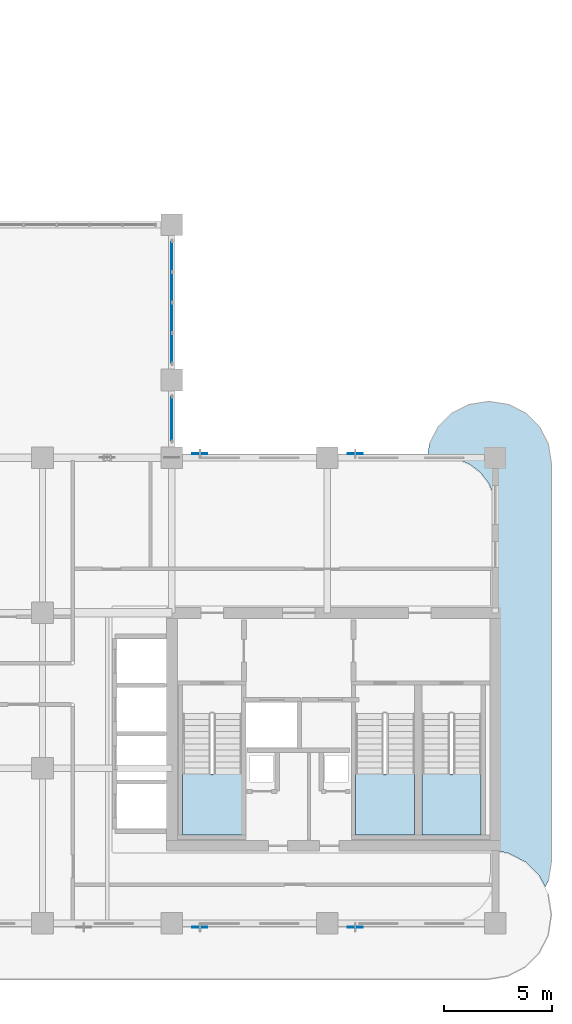
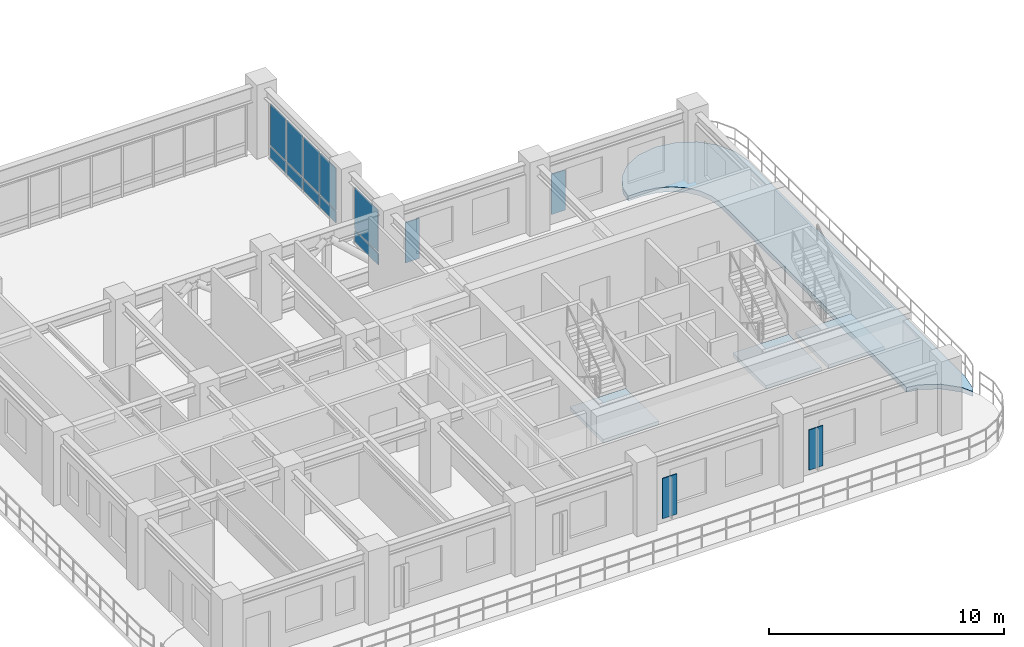
# One storey, part 7 of 17: 14 plates, 4 slabs, 5 elements without a shape of their own.
"""IFC4 building model written with IfcOpenShell, lengths in metres."""

import ifcopenshell
import ifcopenshell.guid

model = None  # the IFC model being written
_history = None  # IfcOwnerHistory: only IFC2X3 demands one
_inside = {}  # id of a spatial element -> (the spatial element, [elements in it])
_under = {}  # id of a project, library or spatial element -> (it, [spatial elements below it])
_declared = {}  # id of a project -> (the project, [libraries it declares])
_typed = {}  # id of a type object -> (the type object, [elements of that type])
_made_of = {}  # id of a material, layer set ... -> (it, [elements and type objects made of it])


def new_model(schema):
    """Start an empty IFC model of exactly this schema.

    Asked for "IFC4X3", IfcOpenShell would pick the latest addendum, in which some entities
    have other attributes; the version numbers below select the first issue.
    IFC2X3 requires an IfcOwnerHistory on every rooted entity: one is made here for all.
    """
    global model, _history
    if schema == "IFC4X3":
        model = ifcopenshell.file(schema_version=(4, 3, 0, 0))
    else:
        model = ifcopenshell.file(schema=schema)
    _inside.clear()
    _under.clear()
    _declared.clear()
    _typed.clear()
    _made_of.clear()
    _history = None
    if model.schema == "IFC2X3":
        org = make("IfcOrganization", Name="unknown")
        user = make(
            "IfcPersonAndOrganization",
            ThePerson=make("IfcPerson", FamilyName="unknown"),
            TheOrganization=org,
        )
        app = make(
            "IfcApplication",
            ApplicationDeveloper=org,
            Version="unknown",
            ApplicationFullName="unknown",
            ApplicationIdentifier="unknown",
        )
        _history = make(
            "IfcOwnerHistory",
            OwningUser=user,
            OwningApplication=app,
            ChangeAction="ADDED",
            CreationDate=0,
        )
    return model


def make(cls, **values):
    """One entity of the class cls with the attributes given. An attribute that is None is left unset."""
    return model.create_entity(
        cls, **{name: value for name, value in values.items() if value is not None}
    )


def rooted(cls, **values):
    """An entity with a GlobalId (a new one), such as an element, a storey or a relation."""
    return make(cls, GlobalId=ifcopenshell.guid.new(), OwnerHistory=_history, **values)


def si_unit(unit_type, name, prefix=None):
    """IfcSIUnit, for example si_unit("LENGTHUNIT", "METRE", prefix="MILLI")."""
    return make("IfcSIUnit", UnitType=unit_type, Prefix=prefix, Name=name)


def derived_unit(unit_type, elements):
    """IfcDerivedUnit: a product of units, each with its exponent."""
    return make(
        "IfcDerivedUnit",
        Elements=[
            make("IfcDerivedUnitElement", Unit=unit, Exponent=power)
            for unit, power in elements
        ],
        UnitType=unit_type,
    )


def assignment(units):
    """IfcUnitAssignment: the units of a project."""
    return None if units is None else make("IfcUnitAssignment", Units=units)


def point(xyz):
    """IfcCartesianPoint."""
    return None if xyz is None else make("IfcCartesianPoint", Coordinates=xyz)


def direction(xyz):
    """IfcDirection."""
    return None if xyz is None else make("IfcDirection", DirectionRatios=xyz)


def frame(location, z_axis=None, x_axis=None):
    """IfcAxis2Placement3D, a coordinate frame: its origin and axes. An axis left out is left unset."""
    return make(
        "IfcAxis2Placement3D",
        Location=point(location),
        Axis=direction(z_axis),
        RefDirection=direction(x_axis),
    )


def frame_2d(location, x_axis=None):
    """IfcAxis2Placement2D, a coordinate frame in the plane: its origin and x axis."""
    return make(
        "IfcAxis2Placement2D", Location=point(location), RefDirection=direction(x_axis)
    )


def origin():
    """The frame at (0, 0, 0) with its axes left unset."""
    return frame((0.0, 0.0, 0.0))


def origin_2d():
    """The frame at (0, 0) in the plane with its x axis left unset."""
    return frame_2d((0.0, 0.0))


def place(relative_to, where):
    """IfcLocalPlacement: puts the frame where relative to a parent placement (None: the world)."""
    return make(
        "IfcLocalPlacement", PlacementRelTo=relative_to, RelativePlacement=where
    )


def context(
    kind, dimensions, precision=None, world=None, true_north=None, identifier=None
):
    """IfcGeometricRepresentationContext, for example the 3D "Model" context."""
    return make(
        "IfcGeometricRepresentationContext",
        ContextIdentifier=identifier,
        ContextType=kind,
        CoordinateSpaceDimension=dimensions,
        Precision=precision,
        WorldCoordinateSystem=world,
        TrueNorth=true_north,
    )


def subcontext(parent, identifier, kind, view, scale=None):
    """IfcGeometricRepresentationSubContext, for example "Body" below "Model"."""
    return make(
        "IfcGeometricRepresentationSubContext",
        ContextIdentifier=identifier,
        ContextType=kind,
        ParentContext=parent,
        TargetScale=scale,
        TargetView=view,
    )


def project(units=None, contexts=None):
    """IfcProject with its units and contexts."""
    return rooted(
        "IfcProject",
        Name="project",
        RepresentationContexts=contexts,
        UnitsInContext=assignment(units),
    )


def spatial(cls, under=None, at=None, **own):
    """A site, building, storey or space (cls), placed at a placement, below another one or the project."""
    s = rooted(cls, ObjectPlacement=at, **own)
    if under is not None:
        _under.setdefault(under.id(), (under, []))[1].append(s)
    return s


def polyline(points):
    """IfcPolyline through the points."""
    return make("IfcPolyline", Points=[point(p) for p in points])


def profile(cls, at=None, kind="AREA", **sizes):
    """A parametric profile (cls). Its sizes go by their IFC names, for example OverallWidth=200.0."""
    return make(cls, ProfileType=kind, Position=at, **sizes)


def rectangle(**sizes):
    """IfcRectangleProfileDef."""
    return profile("IfcRectangleProfileDef", **sizes)


def outline(outer, holes=None, kind="AREA"):
    """IfcArbitraryClosedProfileDef: a profile drawn as a closed curve; with holes, ...WithVoids."""
    if holes is None:
        return make("IfcArbitraryClosedProfileDef", ProfileType=kind, OuterCurve=outer)
    return make(
        "IfcArbitraryProfileDefWithVoids",
        ProfileType=kind,
        OuterCurve=outer,
        InnerCurves=holes,
    )


def extrude(swept, where, along, depth):
    """IfcExtrudedAreaSolid: the profile swept, set in the frame where, extruded along a direction by depth."""
    return make(
        "IfcExtrudedAreaSolid",
        SweptArea=swept,
        Position=where,
        ExtrudedDirection=direction(along),
        Depth=depth,
    )


def shape(context_of_items, identifier, shape_type, items):
    """IfcShapeRepresentation: the items that make up one representation, for example the "Body"."""
    return make(
        "IfcShapeRepresentation",
        ContextOfItems=context_of_items,
        RepresentationIdentifier=identifier,
        RepresentationType=shape_type,
        Items=items,
    )


def source(mapping_origin, context_of_items, identifier, shape_type, items):
    """IfcRepresentationMap: a shape defined once, which mapped items show again and again."""
    return make(
        "IfcRepresentationMap",
        MappingOrigin=mapping_origin,
        MappedRepresentation=shape(context_of_items, identifier, shape_type, items),
    )


def transform(
    local_origin,
    x_axis=None,
    y_axis=None,
    z_axis=None,
    scale=None,
    scale2=None,
    scale3=None,
    uniform=True,
):
    """IfcCartesianTransformationOperator3D, or its non-uniform kind. x_axis, y_axis, z_axis: its Axis1, 2, 3."""
    if uniform:
        return make(
            "IfcCartesianTransformationOperator3D",
            Axis1=direction(x_axis),
            Axis2=direction(y_axis),
            LocalOrigin=point(local_origin),
            Scale=scale,
            Axis3=direction(z_axis),
        )
    return make(
        "IfcCartesianTransformationOperator3DnonUniform",
        Axis1=direction(x_axis),
        Axis2=direction(y_axis),
        LocalOrigin=point(local_origin),
        Scale=scale,
        Axis3=direction(z_axis),
        Scale2=scale2,
        Scale3=scale3,
    )


def mapped(mapping_source, mapping_target):
    """IfcMappedItem: shows the shape of a source again, moved by a transform."""
    return make(
        "IfcMappedItem", MappingSource=mapping_source, MappingTarget=mapping_target
    )


def material(Name=None, Category=None):
    """IfcMaterial."""
    return make("IfcMaterial", Name=Name, Category=Category)


def layer(
    of_material, thickness, ventilated=None, Name=None, Category=None, Priority=None
):
    """IfcMaterialLayer: one layer of a wall or slab, of a material (None: an air gap)."""
    return make(
        "IfcMaterialLayer",
        Material=of_material,
        LayerThickness=thickness,
        IsVentilated=ventilated,
        Name=Name,
        Category=Category,
        Priority=Priority,
    )


def layer_set(layers, Name=None):
    """IfcMaterialLayerSet."""
    return make("IfcMaterialLayerSet", MaterialLayers=layers, LayerSetName=Name)


def made_of(thing, what):
    """Note that an element or type object is made of a material, layer set ...; save() writes the relation."""
    if what is not None:
        _made_of.setdefault(what.id(), (what, []))[1].append(thing)
    return thing


def type_object(cls, material=None, **own):
    """A type object (cls), such as IfcWallType, which elements share."""
    return made_of(rooted(cls, **own), material)


def type_shapes(of_type, sources):
    """Give a type object the sources (RepresentationMaps) that its elements show as mapped items."""
    of_type.RepresentationMaps = sources


def element(
    cls,
    number,
    at=None,
    inside=None,
    cuts=None,
    type_object=None,
    material=None,
    context=None,
    identifier="Body",
    shape_type=None,
    held_by="IfcProductDefinitionShape",
    body=None,
    shapes=None,
    **own,
):
    """One element of the class cls, such as IfcWall. Its Tag is "e" and its number.

    at: its placement. inside: the storey or other place that contains it. cuts: it is an
    opening in that element (IfcRelVoidsElement). A single representation is given by context,
    identifier, shape_type and body (its items); several are given by shapes. held_by: the class
    of the entity that holds the representations. save() writes the other relations.
    """
    e = rooted(cls, Tag="e%d" % number, ObjectPlacement=at, **own)
    if body is not None:
        shapes = [shape(context, identifier, shape_type, body)]
    if shapes is not None:
        e.Representation = make(held_by, Representations=shapes)
    if inside is not None:
        _inside.setdefault(inside.id(), (inside, []))[1].append(e)
    if cuts is not None:
        rooted(
            "IfcRelVoidsElement", RelatingBuildingElement=cuts, RelatedOpeningElement=e
        )
    if type_object is not None:
        _typed.setdefault(type_object.id(), (type_object, []))[1].append(e)
    return made_of(e, material)


def aggregate(whole, parts):
    """IfcRelAggregates: a whole, such as a stair, and the parts it consists of."""
    return rooted("IfcRelAggregates", RelatingObject=whole, RelatedObjects=parts)


def save(model, path):
    """Write the relations noted so far, then the file.

    IfcRelAggregates (storeys below a building ...), IfcRelContainedInSpatialStructure (elements
    in a storey), IfcRelDefinesByType, IfcRelAssociatesMaterial and IfcRelDeclares: one each for
    every whole, place, type object, material and project.
    """
    for whole, parts in _under.values():
        aggregate(whole, parts)
    for where, things in _inside.values():
        rooted(
            "IfcRelContainedInSpatialStructure",
            RelatedElements=things,
            RelatingStructure=where,
        )
    for kind, things in _typed.values():
        rooted("IfcRelDefinesByType", RelatedObjects=things, RelatingType=kind)
    for what, things in _made_of.values():
        rooted("IfcRelAssociatesMaterial", RelatedObjects=things, RelatingMaterial=what)
    for by, libraries in _declared.values():
        rooted("IfcRelDeclares", RelatingContext=by, RelatedDefinitions=libraries)
    model.write(path)


model = new_model("IFC4")

# Units and contexts
model_context = context("Model", 3, precision=1e-05, world=origin(), true_north=direction((0.0, 1.0)))
body_context = subcontext(model_context, "Body", "Model", "MODEL_VIEW")
ifc_project = project(units=[si_unit("LENGTHUNIT", "METRE"), si_unit("AREAUNIT", "SQUARE_METRE"), si_unit("VOLUMEUNIT", "CUBIC_METRE"), si_unit("PLANEANGLEUNIT", "RADIAN"), si_unit("MASSUNIT", "GRAM", prefix="KILO"), si_unit("THERMODYNAMICTEMPERATUREUNIT", "KELVIN"), si_unit("POWERUNIT", "WATT"), derived_unit("THERMALTRANSMITTANCEUNIT", [(si_unit("POWERUNIT", "WATT"), 1), (si_unit("AREAUNIT", "SQUARE_METRE"), -1), (si_unit("THERMODYNAMICTEMPERATUREUNIT", "KELVIN"), -1)])], contexts=[model_context])

# Site, building, storey
site_placement = place(None, origin())
site = spatial("IfcSite", under=ifc_project, at=site_placement, CompositionType="ELEMENT")
building_placement = place(site_placement, origin())
building = spatial("IfcBuilding", under=site, at=building_placement, Name="Zahravan Archway Hotel and Residences", CompositionType="ELEMENT")
storey_placement = place(building_placement, frame((0.0, 0.0, 192.64990234375)))
storey = spatial("IfcBuildingStorey", under=building, at=storey_placement, Name="L48", CompositionType="ELEMENT", Elevation=192.64990234375)

# Slab
ifc_material_1 = material(Name="Concrete C45/55", Category="concrete")
ifc_layer_1 = layer(ifc_material_1, 0.25, Name="Concrete C45/55", Category="concrete")
ifc_layer_set_1 = layer_set([ifc_layer_1], Name="Concrete C45/55")
slab_type_1 = type_object("IfcSlabType", Name="SLB-BALC-250", PredefinedType="FLOOR", material=ifc_layer_set_1)
slab_1_placement = place(storey_placement, frame((0.0, 0.0, -0.25)))
element("IfcSlab", 1, at=slab_1_placement, inside=storey, type_object=slab_type_1, Name="L48 Wing A East Rounded Balcony Band", PredefinedType="FLOOR", context=body_context, shape_type="SweptSolid", body=[
    extrude(outline(polyline([(46.739501953125, 22.230712890625), (47.144287109375, 23.025146484375), (47.77490234375, 23.65576171875), (48.5693359375, 24.060546875), (49.449951171875, 24.199951171875), (49.550048828125, 24.199951171875), (50.4306640625, 24.060546875), (51.22509765625, 23.65576171875), (51.855712890625, 23.025146484375), (52.260498046875, 22.230712890625), (52.39990234375, 21.35009765625), (52.39990234375, 2.85009765625), (52.260498046875, 1.96923828125), (52.114501953125, 1.6826171875), (51.8544921875, 2.193115234375), (51.853515625, 2.19482421875), (51.85205078125, 2.196533203125), (51.8505859375, 2.197998046875), (51.197998046875, 2.8505859375), (51.196533203125, 2.85205078125), (51.19482421875, 2.853515625), (51.193115234375, 2.8544921875), (50.37060546875, 3.2734375), (50.368896484375, 3.2744140625), (50.36669921875, 3.27490234375), (50.36474609375, 3.275390625), (49.822998046875, 3.361083984375), (49.8212890625, 3.361328125), (49.820068359375, 3.361328125), (49.820068359375, 19.199951171875), (49.81982421875, 19.20263671875), (49.738037109375, 19.82373046875), (49.73779296875, 19.825439453125), (49.7373046875, 19.8271484375), (49.73681640625, 19.828857421875), (49.4970703125, 20.40771484375), (49.49609375, 20.4091796875), (49.495361328125, 20.41064453125), (49.494384765625, 20.412109375), (49.113037109375, 20.9091796875), (49.11181640625, 20.91064453125), (49.110595703125, 20.911865234375), (49.109375, 20.9130859375), (48.6123046875, 21.29443359375), (48.610595703125, 21.29541015625), (48.609130859375, 21.296142578125), (48.607666015625, 21.297119140625), (48.02880859375, 21.53662109375), (48.027099609375, 21.537353515625), (48.025390625, 21.53759765625), (48.023681640625, 21.5380859375), (47.402587890625, 21.619873046875), (47.39990234375, 21.6201171875), (46.642822265625, 21.6201171875), (46.739501953125, 22.230712890625)])), origin(), (0.0, 0.0, 1.0), 0.25),
])

# Stair, slab
ifc_material_2 = material(Name="Concrete C50/60", Category="concrete")
stair_type = type_object("IfcStairType", Name="STR-CORE-1300", PredefinedType="HALF_TURN_STAIR", material=ifc_material_2)
stair_1_placement = place(storey_placement, origin())
stair_1 = element("IfcStair", 2, at=stair_1_placement, inside=storey, type_object=stair_type, Name="L48 Core A Exit Stair 1", PredefinedType="HALF_TURN_STAIR")
ifc_layer_2 = layer(ifc_material_2, 0.199951171875, Name="Concrete C50/60", Category="concrete")
ifc_layer_set_2 = layer_set([ifc_layer_2], Name="Concrete C50/60")
slab_type_2 = type_object("IfcSlabType", Name="SLB-LND-200", PredefinedType="LANDING", material=ifc_layer_set_2)
slab_2_placement = place(storey_placement, frame((0.0, 0.0, 1.72509765625)))
slab_2 = element("IfcSlab", 3, at=slab_2_placement, type_object=slab_type_2, Name="ST-A1 landing 1", PredefinedType="LANDING", context=body_context, shape_type="SweptSolid", body=[
    extrude(outline(polyline([(35.300048828125, 6.929931640625), (35.300048828125, 4.10009765625), (38.0400390625, 4.10009765625), (38.0400390625, 6.929931640625), (35.300048828125, 6.929931640625)])), origin(), (0.0, 0.0, 1.0), 0.199951171875),
])
aggregate(stair_1, [slab_2])

stair_2_placement = place(storey_placement, origin())
stair_2 = element("IfcStair", 4, at=stair_2_placement, inside=storey, type_object=stair_type, Name="L48 Core A Exit Stair 2", PredefinedType="HALF_TURN_STAIR")
slab_3_placement = place(storey_placement, frame((0.0, 0.0, 1.72509765625)))
slab_3 = element("IfcSlab", 5, at=slab_3_placement, type_object=slab_type_2, Name="ST-A2 landing 1", PredefinedType="LANDING", context=body_context, shape_type="SweptSolid", body=[
    extrude(outline(polyline([(43.320068359375, 6.929931640625), (43.320068359375, 4.10009765625), (46.06005859375, 4.10009765625), (46.06005859375, 6.929931640625), (43.320068359375, 6.929931640625)])), origin(), (0.0, 0.0, 1.0), 0.199951171875),
])
aggregate(stair_2, [slab_3])

stair_3_placement = place(storey_placement, origin())
stair_3 = element("IfcStair", 6, at=stair_3_placement, inside=storey, type_object=stair_type, Name="L48 Core A Exit Stair 3", PredefinedType="HALF_TURN_STAIR")
slab_4_placement = place(storey_placement, frame((0.0, 0.0, 1.72509765625)))
slab_4 = element("IfcSlab", 7, at=slab_4_placement, type_object=slab_type_2, Name="ST-A3 landing 1", PredefinedType="LANDING", context=body_context, shape_type="SweptSolid", body=[
    extrude(outline(polyline([(46.39990234375, 6.929931640625), (46.39990234375, 4.10009765625), (49.139892578125, 4.10009765625), (49.139892578125, 6.929931640625), (46.39990234375, 6.929931640625)])), origin(), (0.0, 0.0, 1.0), 0.199951171875),
])
aggregate(stair_3, [slab_4])

# Plates
ifc_material_3 = material(Name="Perforated Cast Bronze Jali Lattice")
ifc_layer_3 = layer(ifc_material_3, 0.044921875, Name="Perforated Cast Bronze Jali Lattice")
ifc_layer_set_3 = layer_set([ifc_layer_3], Name="Perforated Cast Bronze Jali Lattice")
plate_type_1 = type_object("IfcPlateType", Name="PLT-JALI-BAY", PredefinedType="USERDEFINED", material=ifc_layer_set_3)
shared_shape_1 = source(origin(), body_context, "Body", "SweptSolid", [
    extrude(rectangle(XDim=0.699951171875, YDim=0.044921875, at=origin_2d()), origin(), (0.0, 0.0, 1.0), 2.10009765625),
])
type_shapes(plate_type_1, [shared_shape_1])
for number, where, z_axis, x_axis, name in (
    (8, (36.10009765625, -0.177978515625, 0.25), (0.0, 0.0, 1.0), (1.0, 0.0, 0.0), "L48 Perforated Bronze Jali Pier Screen 03"),
    (9, (43.300048828125, -0.177978515625, 0.25), (0.0, 0.0, 1.0), (1.0, 0.0, 0.0), "L48 Perforated Bronze Jali Pier Screen 04"),
    (10, (36.10009765625, 21.778076171875, 0.25), (0.0, 0.0, 1.0), (1.0, 0.0, 0.0), "L48 Perforated Bronze Jali Pier Screen 05"),
    (11, (43.300048828125, 21.778076171875, 0.25), (0.0, 0.0, 1.0), (1.0, 0.0, 0.0), "L48 Perforated Bronze Jali Pier Screen 06"),
):
    element("IfcPlate", number, at=place(storey_placement, frame(where, z_axis=z_axis, x_axis=x_axis)), inside=storey, type_object=plate_type_1, Name=name, ObjectType="SCREEN", PredefinedType="USERDEFINED", context=body_context, shape_type="MappedRepresentation", body=[
        mapped(shared_shape_1, transform((0.0, 0.0, 0.0), scale=1.0)),
    ])

# Curtain wall, plates
ifc_material_4 = material(Name="Bronze-Anodized Unitised Aluminium & Low-E Glass", Category="aluminium")
ifc_layer_4 = layer(ifc_material_4, 0.179931640625, Name="Bronze-Anodized Unitised Aluminium & Low-E Glass", Category="aluminium")
ifc_layer_set_4 = layer_set([ifc_layer_4], Name="Bronze-Anodized Unitised Aluminium & Low-E Glass")
curtain_wall_type = type_object("IfcCurtainWallType", Name="CW-SBG-2", PredefinedType="NOTDEFINED", material=ifc_layer_set_4)
curtain_wall_1_placement = place(storey_placement, origin())
curtain_wall_1 = element("IfcCurtainWall", 12, at=curtain_wall_1_placement, inside=storey, type_object=curtain_wall_type, Name="L48 Curtain Wall CW-L48-HNG-E-1", PredefinedType="NOTDEFINED")
ifc_material_5 = material(Name="Insulated Terracotta Spandrel Panel", Category="masonry")
ifc_layer_5 = layer(ifc_material_5, 0.0400390625, Name="Insulated Terracotta Spandrel Panel", Category="masonry")
ifc_layer_set_5 = layer_set([ifc_layer_5], Name="Insulated Terracotta Spandrel Panel")
plate_type_2 = type_object("IfcPlateType", Name="CWP-SPN-40", PredefinedType="SHEET", material=ifc_layer_set_5)
shared_shape_2 = source(origin(), body_context, "Body", "SweptSolid", [
    extrude(rectangle(XDim=2.0, YDim=0.0400390625, at=origin_2d()), origin(), (0.0, 0.0, 1.0), 0.58837890625),
])
plate_1_placement = place(storey_placement, frame((34.800048828125, 23.39990234375, 0.10009765625), z_axis=(0.0, 0.0, 1.0), x_axis=(0.0, 1.0, 0.0)))
plate_1 = element("IfcPlate", 13, at=plate_1_placement, type_object=plate_type_2, Name="CW-L48-HNG-E-1 Spandrel Panel 0", PredefinedType="SHEET", context=body_context, shape_type="MappedRepresentation", body=[
    mapped(shared_shape_2, transform((0.0, 0.0, 0.0), scale=1.0)),
])
ifc_material_6 = material(Name="Double-Silver Low-E Insulated Vision Glass", Category="glass")
ifc_layer_6 = layer(ifc_material_6, 0.028076171875, Name="Double-Silver Low-E Insulated Vision Glass", Category="glass")
ifc_layer_set_6 = layer_set([ifc_layer_6], Name="Double-Silver Low-E Insulated Vision Glass")
plate_type_3 = type_object("IfcPlateType", Name="CWP-GLZ-28", PredefinedType="CURTAIN_PANEL", material=ifc_layer_set_6)
shared_shape_3 = source(origin(), body_context, "Body", "SweptSolid", [
    extrude(rectangle(XDim=2.0, YDim=0.028076171875, at=origin_2d()), origin(), (0.0, 0.0, 1.0), 2.16650390625),
])
plate_2_placement = place(storey_placement, frame((34.800048828125, 23.39990234375, 0.7685546875), z_axis=(0.0, 0.0, 1.0), x_axis=(0.0, 1.0, 0.0)))
plate_2 = element("IfcPlate", 14, at=plate_2_placement, type_object=plate_type_3, Name="CW-L48-HNG-E-1 Low-E Vision Panel 0", PredefinedType="CURTAIN_PANEL", context=body_context, shape_type="MappedRepresentation", body=[
    mapped(shared_shape_3, transform((0.0, 0.0, 0.0), scale=1.0)),
])
aggregate(curtain_wall_1, [plate_1, plate_2])

curtain_wall_2_placement = place(storey_placement, origin())
curtain_wall_2 = element("IfcCurtainWall", 15, at=curtain_wall_2_placement, inside=storey, type_object=curtain_wall_type, Name="L48 Curtain Wall CW-L48-HNG-E-2", PredefinedType="NOTDEFINED")
shared_shape_4 = source(origin(), body_context, "Body", "SweptSolid", [
    extrude(rectangle(XDim=1.340087890625, YDim=0.0400390625, at=origin_2d()), origin(), (0.0, 0.0, 1.0), 0.58837890625),
])
plate_3_placement = place(storey_placement, frame((34.800048828125, 26.669921875, 0.10009765625), z_axis=(0.0, 0.0, 1.0), x_axis=(0.0, 1.0, 0.0)))
plate_3 = element("IfcPlate", 16, at=plate_3_placement, type_object=plate_type_2, Name="CW-L48-HNG-E-2 Spandrel Panel 0", PredefinedType="SHEET", context=body_context, shape_type="MappedRepresentation", body=[
    mapped(shared_shape_4, transform((0.0, 0.0, 0.0), scale=1.0)),
])
plate_4_placement = place(storey_placement, frame((34.800048828125, 28.090087890625, 0.10009765625), z_axis=(0.0, 0.0, 1.0), x_axis=(0.0, 1.0, 0.0)))
plate_4 = element("IfcPlate", 17, at=plate_4_placement, type_object=plate_type_2, Name="CW-L48-HNG-E-2 Spandrel Panel 1", PredefinedType="SHEET", context=body_context, shape_type="MappedRepresentation", body=[
    mapped(shared_shape_4, transform((0.0, 0.0, 0.0), scale=1.0)),
])
plate_5_placement = place(storey_placement, frame((34.800048828125, 29.510009765625, 0.10009765625), z_axis=(0.0, 0.0, 1.0), x_axis=(0.0, 1.0, 0.0)))
plate_5 = element("IfcPlate", 18, at=plate_5_placement, type_object=plate_type_2, Name="CW-L48-HNG-E-2 Spandrel Panel 2", PredefinedType="SHEET", context=body_context, shape_type="MappedRepresentation", body=[
    mapped(shared_shape_4, transform((0.0, 0.0, 0.0), scale=1.0)),
])
plate_6_placement = place(storey_placement, frame((34.800048828125, 30.929931640625, 0.10009765625), z_axis=(0.0, 0.0, 1.0), x_axis=(0.0, 1.0, 0.0)))
plate_6 = element("IfcPlate", 19, at=plate_6_placement, type_object=plate_type_2, Name="CW-L48-HNG-E-2 Spandrel Panel 3", PredefinedType="SHEET", context=body_context, shape_type="MappedRepresentation", body=[
    mapped(shared_shape_4, transform((0.0, 0.0, 0.0), scale=1.0)),
])
shared_shape_5 = source(origin(), body_context, "Body", "SweptSolid", [
    extrude(rectangle(XDim=1.340087890625, YDim=0.028076171875, at=origin_2d()), origin(), (0.0, 0.0, 1.0), 2.16650390625),
])
plate_7_placement = place(storey_placement, frame((34.800048828125, 26.669921875, 0.7685546875), z_axis=(0.0, 0.0, 1.0), x_axis=(0.0, 1.0, 0.0)))
plate_7 = element("IfcPlate", 20, at=plate_7_placement, type_object=plate_type_3, Name="CW-L48-HNG-E-2 Low-E Vision Panel 0", PredefinedType="CURTAIN_PANEL", context=body_context, shape_type="MappedRepresentation", body=[
    mapped(shared_shape_5, transform((0.0, 0.0, 0.0), scale=1.0)),
])
plate_8_placement = place(storey_placement, frame((34.800048828125, 28.090087890625, 0.7685546875), z_axis=(0.0, 0.0, 1.0), x_axis=(0.0, 1.0, 0.0)))
plate_8 = element("IfcPlate", 21, at=plate_8_placement, type_object=plate_type_3, Name="CW-L48-HNG-E-2 Low-E Vision Panel 1", PredefinedType="CURTAIN_PANEL", context=body_context, shape_type="MappedRepresentation", body=[
    mapped(shared_shape_5, transform((0.0, 0.0, 0.0), scale=1.0)),
])
plate_9_placement = place(storey_placement, frame((34.800048828125, 29.510009765625, 0.7685546875), z_axis=(0.0, 0.0, 1.0), x_axis=(0.0, 1.0, 0.0)))
plate_9 = element("IfcPlate", 22, at=plate_9_placement, type_object=plate_type_3, Name="CW-L48-HNG-E-2 Low-E Vision Panel 2", PredefinedType="CURTAIN_PANEL", context=body_context, shape_type="MappedRepresentation", body=[
    mapped(shared_shape_5, transform((0.0, 0.0, 0.0), scale=1.0)),
])
plate_10_placement = place(storey_placement, frame((34.800048828125, 30.929931640625, 0.7685546875), z_axis=(0.0, 0.0, 1.0), x_axis=(0.0, 1.0, 0.0)))
plate_10 = element("IfcPlate", 23, at=plate_10_placement, type_object=plate_type_3, Name="CW-L48-HNG-E-2 Low-E Vision Panel 3", PredefinedType="CURTAIN_PANEL", context=body_context, shape_type="MappedRepresentation", body=[
    mapped(shared_shape_5, transform((0.0, 0.0, 0.0), scale=1.0)),
])
aggregate(curtain_wall_2, [plate_3, plate_7, plate_4, plate_8, plate_5, plate_9, plate_6, plate_10])

save(model, "model.ifc")
